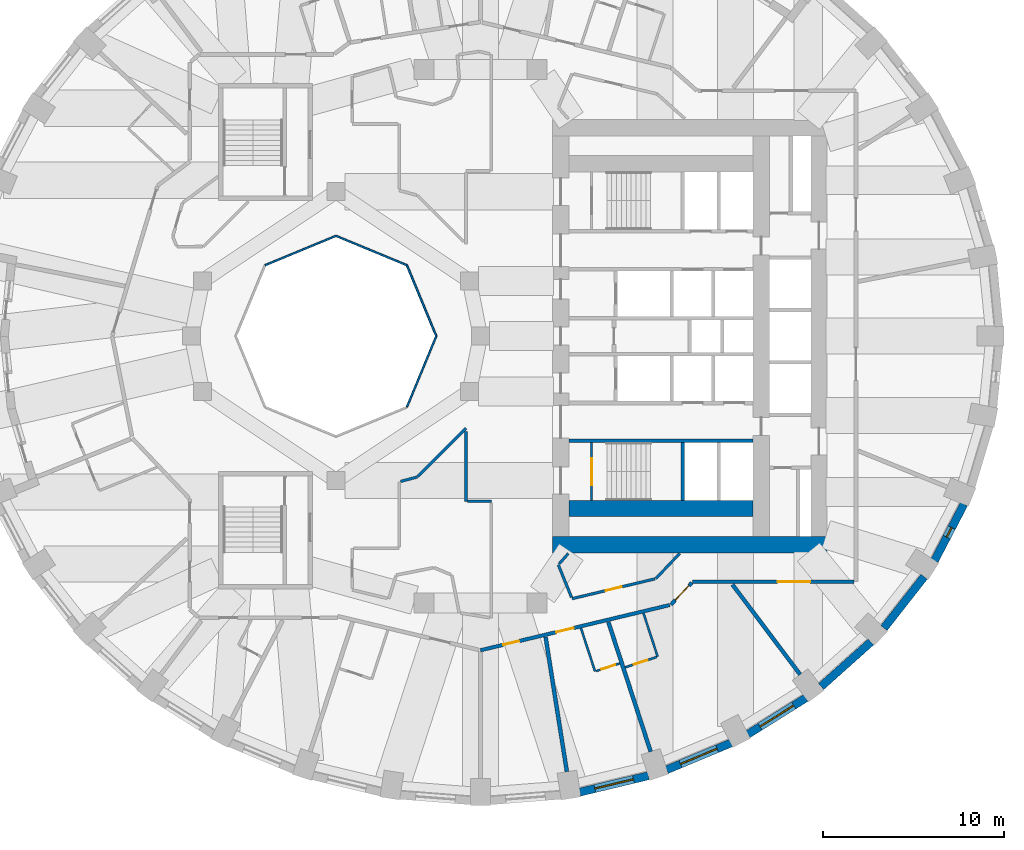
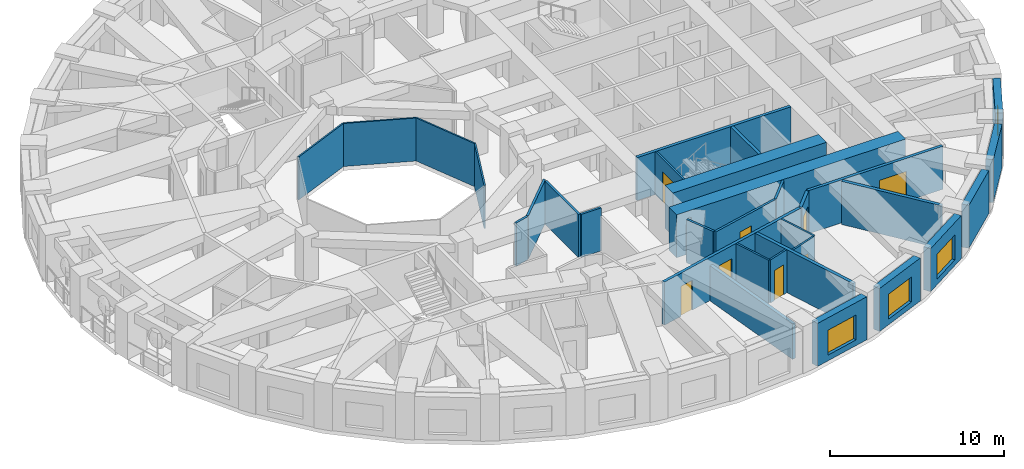
# One storey, part 5 of 14: 33 walls, 8 doors, 4 windows, 12 openings.
"""IFC4 building model written with IfcOpenShell, lengths in metres."""

from ifc_helpers import new_model, si_unit, direction, frame, frame_2d, origin, place, context, subcontext, project, spatial, rectangle, extrude, material, layer, layer_set, type_object, element, fill, save


model = new_model("IFC4")

# Units and contexts
model_context = context("Model", 3, precision=1e-05, world=origin(), true_north=direction((0.0, 1.0)))
body_context = subcontext(model_context, "Body", "Model", "MODEL_VIEW")
ifc_project = project(units=[si_unit("LENGTHUNIT", "METRE"), si_unit("AREAUNIT", "SQUARE_METRE"), si_unit("VOLUMEUNIT", "CUBIC_METRE"), si_unit("PLANEANGLEUNIT", "RADIAN"), si_unit("MASSUNIT", "GRAM", prefix="KILO")], contexts=[model_context])

# Site, building, storey
site_placement = place(None, origin())
site = spatial("IfcSite", under=ifc_project, at=site_placement, CompositionType="ELEMENT")
building_placement = place(site_placement, origin())
building = spatial("IfcBuilding", under=site, at=building_placement, Name="Taillehof Tower", CompositionType="ELEMENT")
storey_placement = place(building_placement, frame((0.0, 0.0, 25.0)))
storey = spatial("IfcBuildingStorey", under=building, at=storey_placement, Name="L05", CompositionType="ELEMENT", Elevation=25.0)

# Walls
ifc_material_1 = material(Name="Fire-resisting glass in steel frame", Category="steel")
ifc_layer_1 = layer(ifc_material_1, 0.10009765625)
ifc_layer_set_1 = layer_set([ifc_layer_1], Name="Atrium fire-resisting screen EI 60 100")
wall_type_1 = type_object("IfcWallType", Name="Atrium fire-resisting screen EI 60 100", PredefinedType="PARTITIONING", material=ifc_layer_set_1)
for number, where, z_axis, x_axis, name in (
    (1, (-2.44580078125, 0.0, 0.0), (0.0, 0.0, 1.0), (-0.382730523909, -0.923860025149, 0.0), "Atrium screen"),
    (2, (-11.92724609375, 3.92724609375, 0.0), (0.0, 0.0, 1.0), (0.923860025149, 0.382730523909, 0.0), "Atrium screen"),
    (3, (-8.0, 5.55419921875, 0.0), (0.0, 0.0, 1.0), (0.923860025149, -0.382730523909, 0.0), "Atrium screen"),
    (4, (-4.07275390625, 3.92724609375, 0.0), (0.0, 0.0, 1.0), (0.382730523909, -0.923860025149, 0.0), "Atrium screen"),
):
    element("IfcWall", number, at=place(storey_placement, frame(where, z_axis=z_axis, x_axis=x_axis)), inside=storey, type_object=wall_type_1, Name=name, PredefinedType="PARTITIONING", context=body_context, shape_type="SweptSolid", body=[
        extrude(rectangle(XDim=4.2509765625, YDim=0.10009765625, at=frame_2d((2.12548828125, 0.0))), origin(), (0.0, 0.0, 1.0), 3.02001953125),
    ])

# Wall, opening, window
ifc_material_2 = material(Name="Brick masonry", Category="masonry")
ifc_layer_2 = layer(ifc_material_2, 0.449951171875)
ifc_layer_set_2 = layer_set([ifc_layer_2], Name="Brick infill wall 450")
wall_type_2 = type_object("IfcWallType", Name="Brick infill wall 450", PredefinedType="SOLIDWALL", material=ifc_layer_set_2)
wall_1_placement = place(storey_placement, frame((5.50439453125, -25.260498046875, 0.0), z_axis=(0.0, 0.0, 1.0), x_axis=(0.972496561493, 0.232917233979, 0.0)))
wall_1 = element("IfcWall", 5, at=wall_1_placement, inside=storey, type_object=wall_type_2, Name="Brick wall L05 bay 29", PredefinedType="SOLIDWALL", context=body_context, shape_type="SweptSolid", body=[
    extrude(rectangle(XDim=3.910888671875, YDim=0.449951171875, at=frame_2d((1.95556640625, 0.0))), origin(), (0.0, 0.0, 1.0), 3.02001953125),
])
opening_1_placement = place(wall_1_placement, frame((0.855224609375, 0.0, 0.39990234375)))
opening_1 = element("IfcOpeningElement", 6, at=opening_1_placement, cuts=wall_1, Name="Opening W1", PredefinedType="OPENING", context=body_context, shape_type="SweptSolid", body=[
    extrude(rectangle(XDim=2.199951171875, YDim=1.75, at=frame_2d((1.10009765625, 0.875))), frame((0.0, 0.23486328125, 0.0), z_axis=(0.0, -1.0, 0.0), x_axis=(1.0, 0.0, 0.0)), (0.0, 0.0, 1.0), 0.469970703125),
])
ifc_material_3 = material(Name="Aluminium window frame with clear double glazing", Category="aluminium")
window_type_1 = type_object("IfcWindowType", Name="Deep-set window 2200x1750", PartitioningType="SINGLE_PANEL", PredefinedType="WINDOW", material=ifc_material_3)
window_1_placement = place(opening_1_placement, origin())
window_1 = element("IfcWindow", 7, at=window_1_placement, inside=storey, type_object=window_type_1, Name="W1", OverallHeight=1.75, OverallWidth=2.199951171875, PartitioningType="SINGLE_PANEL", PredefinedType="WINDOW", context=body_context, shape_type="SweptSolid", body=[
    extrude(rectangle(XDim=2.199951171875, YDim=1.75, at=frame_2d((1.10009765625, 0.875))), frame((0.0, 0.034912109375, 0.0), z_axis=(0.0, -1.0, 0.0), x_axis=(1.0, 0.0, 0.0)), (0.0, 0.0, 1.0), 0.06005859375),
])
fill(opening_1, window_1)

wall_2_placement = place(storey_placement, frame((10.3154296875, -24.02099609375, 0.0), z_axis=(0.0, 0.0, 1.0), x_axis=(0.923031964282, 0.384723267966, 0.0)))
wall_2 = element("IfcWall", 8, at=wall_2_placement, inside=storey, type_object=wall_type_2, Name="Brick wall L05 bay 30", PredefinedType="SOLIDWALL", context=body_context, shape_type="SweptSolid", body=[
    extrude(rectangle(XDim=3.8564453125, YDim=0.449951171875, at=frame_2d((1.92822265625, 0.0))), origin(), (0.0, 0.0, 1.0), 3.02001953125),
])
opening_2_placement = place(wall_2_placement, frame((0.828125, 0.0, 0.39990234375)))
opening_2 = element("IfcOpeningElement", 9, at=opening_2_placement, cuts=wall_2, Name="Opening W1", PredefinedType="OPENING", context=body_context, shape_type="SweptSolid", body=[
    extrude(rectangle(XDim=2.199951171875, YDim=1.75, at=frame_2d((1.10009765625, 0.875))), frame((0.0, 0.23486328125, 0.0), z_axis=(0.0, -1.0, 0.0), x_axis=(1.0, 0.0, 0.0)), (0.0, 0.0, 1.0), 0.469970703125),
])
window_2_placement = place(opening_2_placement, origin())
window_2 = element("IfcWindow", 10, at=window_2_placement, inside=storey, type_object=window_type_1, Name="W1", OverallHeight=1.75, OverallWidth=2.199951171875, PartitioningType="SINGLE_PANEL", PredefinedType="WINDOW", context=body_context, shape_type="SweptSolid", body=[
    extrude(rectangle(XDim=2.199951171875, YDim=1.75, at=frame_2d((1.10009765625, 0.875))), frame((0.0, 0.034912109375, 0.0), z_axis=(0.0, -1.0, 0.0), x_axis=(1.0, 0.0, 0.0)), (0.0, 0.0, 1.0), 0.06005859375),
])
fill(opening_2, window_2)

wall_3_placement = place(storey_placement, frame((14.81689453125, -22.050537109375, 0.0), z_axis=(0.0, 0.0, 1.0), x_axis=(0.847635480093, 0.530579016629, 0.0)))
wall_3 = element("IfcWall", 11, at=wall_3_placement, inside=storey, type_object=wall_type_2, Name="Brick wall L05 bay 31", PredefinedType="SOLIDWALL", context=body_context, shape_type="SweptSolid", body=[
    extrude(rectangle(XDim=3.782470703125, YDim=0.449951171875, at=frame_2d((1.89111328125, 0.0))), origin(), (0.0, 0.0, 1.0), 3.02001953125),
])
opening_3_placement = place(wall_3_placement, frame((0.791259765625, 0.0, 0.39990234375)))
opening_3 = element("IfcOpeningElement", 12, at=opening_3_placement, cuts=wall_3, Name="Opening W1", PredefinedType="OPENING", context=body_context, shape_type="SweptSolid", body=[
    extrude(rectangle(XDim=2.199951171875, YDim=1.75, at=frame_2d((1.10009765625, 0.875))), frame((0.0, 0.23486328125, 0.0), z_axis=(0.0, -1.0, 0.0), x_axis=(1.0, 0.0, 0.0)), (0.0, 0.0, 1.0), 0.469970703125),
])
window_3_placement = place(opening_3_placement, origin())
window_3 = element("IfcWindow", 13, at=window_3_placement, inside=storey, type_object=window_type_1, Name="W1", OverallHeight=1.75, OverallWidth=2.199951171875, PartitioningType="SINGLE_PANEL", PredefinedType="WINDOW", context=body_context, shape_type="SweptSolid", body=[
    extrude(rectangle(XDim=2.199951171875, YDim=1.75, at=frame_2d((1.10009765625, 0.875))), frame((0.0, 0.034912109375, 0.0), z_axis=(0.0, -1.0, 0.0), x_axis=(1.0, 0.0, 0.0)), (0.0, 0.0, 1.0), 0.06005859375),
])
fill(opening_3, window_3)

# Walls
wall_4_placement = place(storey_placement, frame((18.87060546875, -19.406982421875, 0.0), z_axis=(0.0, 0.0, 1.0), x_axis=(0.745526233716, 0.66647628228, 0.0)))
element("IfcWall", 14, at=wall_4_placement, inside=storey, type_object=wall_type_2, Name="Brick wall L05 bay 32", PredefinedType="SOLIDWALL", context=body_context, shape_type="SweptSolid", body=[
    extrude(rectangle(XDim=3.69677734375, YDim=0.449951171875, at=frame_2d((1.848388671875, 0.0))), origin(), (0.0, 0.0, 1.0), 3.02001953125),
])
wall_5_placement = place(storey_placement, frame((22.3515625, -16.169677734375, 0.0), z_axis=(0.0, 0.0, 1.0), x_axis=(0.616661975264, 0.787228053529, 0.0)))
element("IfcWall", 15, at=wall_5_placement, inside=storey, type_object=wall_type_2, Name="Brick wall L05 bay 33", PredefinedType="SOLIDWALL", context=body_context, shape_type="SweptSolid", body=[
    extrude(rectangle(XDim=3.60986328125, YDim=0.449951171875, at=frame_2d((1.804931640625, 0.0))), origin(), (0.0, 0.0, 1.0), 3.02001953125),
])

# Wall, opening, window
wall_6_placement = place(storey_placement, frame((25.152099609375, -12.436767578125, 0.0), z_axis=(0.0, 0.0, 1.0), x_axis=(0.462492775226, 0.886623050041, 0.0)))
wall_6 = element("IfcWall", 16, at=wall_6_placement, inside=storey, type_object=wall_type_2, Name="Brick wall L05 bay 34", PredefinedType="SOLIDWALL", context=body_context, shape_type="SweptSolid", body=[
    extrude(rectangle(XDim=3.531982421875, YDim=0.449951171875, at=frame_2d((1.76611328125, 0.0))), origin(), (0.0, 0.0, 1.0), 3.02001953125),
])
opening_4_placement = place(wall_6_placement, frame((1.466064453125, 0.0, 0.39990234375)))
opening_4 = element("IfcOpeningElement", 17, at=opening_4_placement, cuts=wall_6, Name="Opening W6", PredefinedType="OPENING", context=body_context, shape_type="SweptSolid", body=[
    extrude(rectangle(XDim=0.60009765625, YDim=1.75, at=frame_2d((0.300048828125, 0.875))), frame((0.0, 0.23486328125, 0.0), z_axis=(0.0, -1.0, 0.0), x_axis=(1.0, 0.0, 0.0)), (0.0, 0.0, 1.0), 0.469970703125),
])
ifc_material_4 = material(Name="Aluminium window frame with clear double glazing", Category="aluminium")
window_type_2 = type_object("IfcWindowType", Name="Slot window 600x1750", PartitioningType="SINGLE_PANEL", PredefinedType="WINDOW", material=ifc_material_4)
window_4_placement = place(opening_4_placement, origin())
window_4 = element("IfcWindow", 18, at=window_4_placement, inside=storey, type_object=window_type_2, Name="W6", OverallHeight=1.75, OverallWidth=0.60009765625, PartitioningType="SINGLE_PANEL", PredefinedType="WINDOW", context=body_context, shape_type="SweptSolid", body=[
    extrude(rectangle(XDim=0.60009765625, YDim=1.75, at=frame_2d((0.300048828125, 0.875))), frame((0.0, 0.034912109375, 0.0), z_axis=(0.0, -1.0, 0.0), x_axis=(1.0, 0.0, 0.0)), (0.0, 0.0, 1.0), 0.06005859375),
])
fill(opening_4, window_4)

# Wall, opening, door
ifc_material_5 = material(Name="Gypsum board on steel studs, two layers each side", Category="steel")
ifc_layer_3 = layer(ifc_material_5, 0.199951171875)
ifc_layer_set_3 = layer_set([ifc_layer_3], Name="Compartment wall corridor 200")
wall_type_3 = type_object("IfcWallType", Name="Compartment wall corridor 200", PredefinedType="PARTITIONING", material=ifc_layer_set_3)
wall_7_placement = place(storey_placement, frame((20.699951171875, -13.60009765625, 0.0), z_axis=(0.0, 0.0, 1.0), x_axis=(-1.0, 0.0, 0.0)))
wall_7 = element("IfcWall", 19, at=wall_7_placement, inside=storey, type_object=wall_type_3, Name="Compartment wall", PredefinedType="PARTITIONING", context=body_context, shape_type="SweptSolid", body=[
    extrude(rectangle(XDim=8.94140625, YDim=0.199951171875, at=frame_2d((4.470703125, 0.0))), origin(), (0.0, 0.0, 1.0), 3.02001953125),
])
opening_5_placement = place(wall_7_placement, frame((2.436279296875, 0.0, 0.0)))
opening_5 = element("IfcOpeningElement", 20, at=opening_5_placement, cuts=wall_7, Name="Opening D0569", PredefinedType="OPENING", context=body_context, shape_type="SweptSolid", body=[
    extrude(rectangle(XDim=1.800048828125, YDim=2.10009765625, at=frame_2d((0.89990234375, 1.050048828125))), frame((0.0, 0.10986328125, 0.0), z_axis=(0.0, -1.0, 0.0), x_axis=(1.0, 0.0, 0.0)), (0.0, 0.0, 1.0), 0.219970703125),
])
ifc_material_6 = material(Name="Timber door leaf in steel frame", Category="steel")
door_type_1 = type_object("IfcDoorType", Name="Lounge and meeting room double door EI 30 1800 x 2100", OperationType="SINGLE_SWING_LEFT", PredefinedType="DOOR", material=ifc_material_6)
door_1_placement = place(opening_5_placement, origin())
door_1 = element("IfcDoor", 21, at=door_1_placement, inside=storey, type_object=door_type_1, Name="D0569", OperationType="DOUBLE_DOOR_SINGLE_SWING", OverallHeight=2.10009765625, OverallWidth=1.800048828125, PredefinedType="DOOR", context=body_context, shape_type="SweptSolid", body=[
    extrude(rectangle(XDim=1.800048828125, YDim=2.10009765625, at=frame_2d((0.89990234375, 1.050048828125))), frame((0.0, 0.02490234375, 0.0), z_axis=(0.0, -1.0, 0.0), x_axis=(1.0, 0.0, 0.0)), (0.0, 0.0, 1.0), 0.050048828125),
])
fill(opening_5, door_1)

wall_8_placement = place(storey_placement, frame((11.703857421875, -13.65771484375, 0.0), z_axis=(0.0, 0.0, 1.0), x_axis=(-0.687768795377, -0.725929806597, 0.0)))
wall_8 = element("IfcWall", 22, at=wall_8_placement, inside=storey, type_object=wall_type_3, Name="Compartment wall", PredefinedType="PARTITIONING", context=body_context, shape_type="SweptSolid", body=[
    extrude(rectangle(XDim=1.6826171875, YDim=0.199951171875, at=frame_2d((0.84130859375, 0.0))), origin(), (0.0, 0.0, 1.0), 3.02001953125),
])
opening_6_placement = place(wall_8_placement, frame((0.219970703125, 0.0, 0.0)))
opening_6 = element("IfcOpeningElement", 23, at=opening_6_placement, cuts=wall_8, Name="Opening D0567", PredefinedType="OPENING", context=body_context, shape_type="SweptSolid", body=[
    extrude(rectangle(XDim=1.10009765625, YDim=2.10009765625, at=frame_2d((0.550048828125, 1.050048828125))), frame((0.0, 0.10986328125, 0.0), z_axis=(0.0, -1.0, 0.0), x_axis=(1.0, 0.0, 0.0)), (0.0, 0.0, 1.0), 0.219970703125),
])
ifc_material_7 = material(Name="Timber door leaf in steel frame", Category="steel")
door_type_2 = type_object("IfcDoorType", Name="Suite entrance door EI 30 1100 x 2100", OperationType="SINGLE_SWING_LEFT", PredefinedType="DOOR", material=ifc_material_7)
door_2_placement = place(opening_6_placement, origin())
door_2 = element("IfcDoor", 24, at=door_2_placement, inside=storey, type_object=door_type_2, Name="D0567", OperationType="SINGLE_SWING_LEFT", OverallHeight=2.10009765625, OverallWidth=1.10009765625, PredefinedType="DOOR", context=body_context, shape_type="SweptSolid", body=[
    extrude(rectangle(XDim=1.10009765625, YDim=2.10009765625, at=frame_2d((0.550048828125, 1.050048828125))), frame((0.0, 0.02490234375, 0.0), z_axis=(0.0, -1.0, 0.0), x_axis=(1.0, 0.0, 0.0)), (0.0, 0.0, 1.0), 0.050048828125),
])
fill(opening_6, door_2)

# Wall, openings, doors
wall_9_placement = place(storey_placement, frame((10.488037109375, -14.89306640625, 0.0), z_axis=(0.0, 0.0, 1.0), x_axis=(-0.972603489924, -0.23247032367, 0.0)))
wall_9 = element("IfcWall", 25, at=wall_9_placement, inside=storey, type_object=wall_type_3, Name="Compartment wall", PredefinedType="PARTITIONING", context=body_context, shape_type="SweptSolid", body=[
    extrude(rectangle(XDim=10.783447265625, YDim=0.199951171875, at=frame_2d((5.3916015625, 0.0))), origin(), (0.0, 0.0, 1.0), 3.02001953125),
])
opening_7_placement = place(wall_9_placement, frame((8.59033203125, 0.0, 0.0)))
opening_7 = element("IfcOpeningElement", 26, at=opening_7_placement, cuts=wall_9, Name="Opening D0564", PredefinedType="OPENING", context=body_context, shape_type="SweptSolid", body=[
    extrude(rectangle(XDim=0.89990234375, YDim=2.10009765625, at=frame_2d((0.449951171875, 1.050048828125))), frame((0.0, 0.10986328125, 0.0), z_axis=(0.0, -1.0, 0.0), x_axis=(1.0, 0.0, 0.0)), (0.0, 0.0, 1.0), 0.219970703125),
])
opening_8_placement = place(wall_9_placement, frame((5.46240234375, 0.0, 0.0)))
opening_8 = element("IfcOpeningElement", 27, at=opening_8_placement, cuts=wall_9, Name="Opening D0565", PredefinedType="OPENING", context=body_context, shape_type="SweptSolid", body=[
    extrude(rectangle(XDim=1.0, YDim=2.10009765625, at=frame_2d((0.5, 1.050048828125))), frame((0.0, 0.10986328125, 0.0), z_axis=(0.0, -1.0, 0.0), x_axis=(1.0, 0.0, 0.0)), (0.0, 0.0, 1.0), 0.219970703125),
])
ifc_material_8 = material(Name="Timber door leaf in steel frame", Category="steel")
door_type_3 = type_object("IfcDoorType", Name="Guest room door EI 30 1000 x 2100", OperationType="SINGLE_SWING_LEFT", PredefinedType="DOOR", material=ifc_material_8)
door_3_placement = place(opening_8_placement, origin())
door_3 = element("IfcDoor", 28, at=door_3_placement, inside=storey, type_object=door_type_3, Name="D0565", OperationType="SINGLE_SWING_LEFT", OverallHeight=2.10009765625, OverallWidth=1.0, PredefinedType="DOOR", context=body_context, shape_type="SweptSolid", body=[
    extrude(rectangle(XDim=1.0, YDim=2.10009765625, at=frame_2d((0.5, 1.050048828125))), frame((0.0, 0.02490234375, 0.0), z_axis=(0.0, -1.0, 0.0), x_axis=(1.0, 0.0, 0.0)), (0.0, 0.0, 1.0), 0.050048828125),
])
fill(opening_8, door_3)
ifc_material_9 = material(Name="Timber door leaf in steel frame", Category="steel")
door_type_4 = type_object("IfcDoorType", Name="Service room door EI 30 900 x 2100", OperationType="SINGLE_SWING_LEFT", PredefinedType="DOOR", material=ifc_material_9)
door_4_placement = place(opening_7_placement, origin())
door_4 = element("IfcDoor", 29, at=door_4_placement, inside=storey, type_object=door_type_4, Name="D0564", OperationType="SINGLE_SWING_RIGHT", OverallHeight=2.10009765625, OverallWidth=0.89990234375, PredefinedType="DOOR", context=body_context, shape_type="SweptSolid", body=[
    extrude(rectangle(XDim=0.89990234375, YDim=2.10009765625, at=frame_2d((0.449951171875, 1.050048828125))), frame((0.0, 0.02490234375, 0.0), z_axis=(0.0, -1.0, 0.0), x_axis=(1.0, 0.0, 0.0)), (0.0, 0.0, 1.0), 0.050048828125),
])
fill(opening_7, door_4)

# Walls
ifc_material_10 = material(Name="Gypsum board on double steel studs with mineral wool", Category="steel")
ifc_layer_4 = layer(ifc_material_10, 0.219970703125)
ifc_layer_set_4 = layer_set([ifc_layer_4], Name="Compartment wall guest room 220")
wall_type_4 = type_object("IfcWallType", Name="Compartment wall guest room 220", PredefinedType="PARTITIONING", material=ifc_layer_set_4)
wall_10_placement = place(storey_placement, frame((4.788330078125, -24.12548828125, 0.0), z_axis=(0.0, 0.0, 1.0), x_axis=(-0.156131781396, 0.987736233434, 0.0)))
element("IfcWall", 30, at=wall_10_placement, inside=storey, type_object=wall_type_4, Name="Compartment wall", PredefinedType="PARTITIONING", context=body_context, shape_type="SweptSolid", body=[
    extrude(rectangle(XDim=7.557373046875, YDim=0.219970703125, at=frame_2d((3.77880859375, 0.0))), origin(), (0.0, 0.0, 1.0), 2.469970703125),
])
wall_11_placement = place(storey_placement, frame((9.429443359375, -23.01416015625, 0.0), z_axis=(0.0, 0.0, 1.0), x_axis=(-0.310261176215, 0.950651356983, 0.0)))
element("IfcWall", 31, at=wall_11_placement, inside=storey, type_object=wall_type_4, Name="Compartment wall", PredefinedType="PARTITIONING", context=body_context, shape_type="SweptSolid", body=[
    extrude(rectangle(XDim=7.557373046875, YDim=0.219970703125, at=frame_2d((3.77880859375, 0.0))), origin(), (0.0, 0.0, 1.0), 3.02001953125),
])
wall_12_placement = place(storey_placement, frame((17.707763671875, -18.7431640625, 0.0), z_axis=(0.0, 0.0, 1.0), x_axis=(-0.601177883261, 0.799115231164, 0.0)))
element("IfcWall", 32, at=wall_12_placement, inside=storey, type_object=wall_type_4, Name="Compartment wall", PredefinedType="PARTITIONING", context=body_context, shape_type="SweptSolid", body=[
    extrude(rectangle(XDim=6.231201171875, YDim=0.219970703125, at=frame_2d((3.11572265625, 0.0))), origin(), (0.0, 0.0, 1.0), 3.02001953125),
])
ifc_material_11 = material(Name="Gypsum board on steel studs, two layers each side", Category="steel")
ifc_layer_5 = layer(ifc_material_11, 0.14990234375)
ifc_layer_set_5 = layer_set([ifc_layer_5], Name="Compartment wall service room 150")
wall_type_5 = type_object("IfcWallType", Name="Compartment wall service room 150", PredefinedType="PARTITIONING", material=ifc_layer_set_5)
wall_13_placement = place(storey_placement, frame((-4.4228515625, -8.048583984375, 0.0), z_axis=(0.0, 0.0, 1.0), x_axis=(0.96590031435, 0.25891423819, 0.0)))
element("IfcWall", 33, at=wall_13_placement, inside=storey, type_object=wall_type_5, Name="Compartment wall", PredefinedType="PARTITIONING", context=body_context, shape_type="SweptSolid", body=[
    extrude(rectangle(XDim=0.958984375, YDim=0.14990234375, at=frame_2d((0.4794921875, 0.0))), origin(), (0.0, 0.0, 1.0), 3.02001953125),
])
wall_14_placement = place(storey_placement, frame((-3.46826171875, -7.77197265625, 0.0), z_axis=(0.0, 0.0, 1.0), x_axis=(0.707106781187, 0.707106781187, 0.0)))
element("IfcWall", 34, at=wall_14_placement, inside=storey, type_object=wall_type_5, Name="Compartment wall", PredefinedType="PARTITIONING", context=body_context, shape_type="SweptSolid", body=[
    extrude(rectangle(XDim=3.7734375, YDim=0.14990234375, at=frame_2d((1.88671875, 0.0))), origin(), (0.0, 0.0, 1.0), 3.02001953125),
])
wall_15_placement = place(storey_placement, frame((-0.800048828125, -5.283935546875, 0.0), z_axis=(0.0, 0.0, 1.0), x_axis=(0.0, -1.0, 0.0)))
element("IfcWall", 35, at=wall_15_placement, inside=storey, type_object=wall_type_5, Name="Compartment wall", PredefinedType="PARTITIONING", context=body_context, shape_type="SweptSolid", body=[
    extrude(rectangle(XDim=3.865966796875, YDim=0.14990234375, at=frame_2d((1.93310546875, 0.0))), origin(), (0.0, 0.0, 1.0), 3.02001953125),
])
wall_16_placement = place(storey_placement, frame((-0.719970703125, -9.14990234375, 0.0), z_axis=(0.0, 0.0, 1.0), x_axis=(1.0, 0.0, 0.0)))
element("IfcWall", 36, at=wall_16_placement, inside=storey, type_object=wall_type_5, Name="Compartment wall", PredefinedType="PARTITIONING", context=body_context, shape_type="SweptSolid", body=[
    extrude(rectangle(XDim=1.320068359375, YDim=0.14990234375, at=frame_2d((0.66015625, 0.0))), origin(), (0.0, 0.0, 1.0), 3.02001953125),
])
wall_17_placement = place(storey_placement, frame((11.02978515625, -12.042724609375, 0.0), z_axis=(0.0, 0.0, 1.0), x_axis=(-0.687734044261, -0.725962729322, 0.0)))
element("IfcWall", 37, at=wall_17_placement, inside=storey, type_object=wall_type_5, Name="Compartment wall", PredefinedType="PARTITIONING", context=body_context, shape_type="SweptSolid", body=[
    extrude(rectangle(XDim=1.916015625, YDim=0.14990234375, at=frame_2d((0.9580078125, 0.0))), origin(), (0.0, 0.0, 1.0), 3.02001953125),
])

# Wall, opening, door
wall_18_placement = place(storey_placement, frame((9.673095703125, -13.44287109375, 0.0), z_axis=(0.0, 0.0, 1.0), x_axis=(-0.972603013932, -0.232472315103, 0.0)))
wall_18 = element("IfcWall", 38, at=wall_18_placement, inside=storey, type_object=wall_type_5, Name="Compartment wall", PredefinedType="PARTITIONING", context=body_context, shape_type="SweptSolid", body=[
    extrude(rectangle(XDim=4.726806640625, YDim=0.14990234375, at=frame_2d((2.36328125, 0.0))), origin(), (0.0, 0.0, 1.0), 3.02001953125),
])
opening_9_placement = place(wall_18_placement, frame((1.91357421875, 0.0, 0.0)))
opening_9 = element("IfcOpeningElement", 39, at=opening_9_placement, cuts=wall_18, Name="Opening D0577", PredefinedType="OPENING", context=body_context, shape_type="SweptSolid", body=[
    extrude(rectangle(XDim=0.89990234375, YDim=2.10009765625, at=frame_2d((0.449951171875, 1.050048828125))), frame((0.0, 0.0849609375, 0.0), z_axis=(0.0, -1.0, 0.0), x_axis=(1.0, 0.0, 0.0)), (0.0, 0.0, 1.0), 0.169921875),
])
door_5_placement = place(opening_9_placement, origin())
door_5 = element("IfcDoor", 40, at=door_5_placement, inside=storey, type_object=door_type_4, Name="D0577", OperationType="SINGLE_SWING_LEFT", OverallHeight=2.10009765625, OverallWidth=0.89990234375, PredefinedType="DOOR", context=body_context, shape_type="SweptSolid", body=[
    extrude(rectangle(XDim=0.89990234375, YDim=2.10009765625, at=frame_2d((0.449951171875, 1.050048828125))), frame((0.0, 0.02490234375, 0.0), z_axis=(0.0, -1.0, 0.0), x_axis=(1.0, 0.0, 0.0)), (0.0, 0.0, 1.0), 0.050048828125),
])
fill(opening_9, door_5)

# Walls
wall_19_placement = place(storey_placement, frame((5.04541015625, -14.467529296875, 0.0), z_axis=(0.0, 0.0, 1.0), x_axis=(-0.376889538578, 0.926258212223, 0.0)))
element("IfcWall", 41, at=wall_19_placement, inside=storey, type_object=wall_type_5, Name="Compartment wall", PredefinedType="PARTITIONING", context=body_context, shape_type="SweptSolid", body=[
    extrude(rectangle(XDim=1.942138671875, YDim=0.14990234375, at=frame_2d((0.97119140625, 0.0))), origin(), (0.0, 0.0, 1.0), 3.02001953125),
])
wall_20_placement = place(storey_placement, frame((4.35302734375, -12.623291015625, 0.0), z_axis=(0.0, 0.0, 1.0), x_axis=(0.660265480509, 0.751032286422, 0.0)))
element("IfcWall", 42, at=wall_20_placement, inside=storey, type_object=wall_type_5, Name="Compartment wall", PredefinedType="PARTITIONING", context=body_context, shape_type="SweptSolid", body=[
    extrude(rectangle(XDim=0.774658203125, YDim=0.14990234375, at=frame_2d((0.38720703125, 0.0))), origin(), (0.0, 0.0, 1.0), 2.570068359375),
])
ifc_material_12 = material(Name="Concrete C80/95", Category="concrete")
ifc_layer_6 = layer(ifc_material_12, 0.89990234375)
ifc_layer_set_6 = layer_set([ifc_layer_6], Name="Core wall C80/95 900")
wall_type_6 = type_object("IfcWallType", Name="Core wall C80/95 900", PredefinedType="SHEAR", material=ifc_layer_set_6)
wall_21_placement = place(storey_placement, frame((4.0, -11.550048828125, 0.0), z_axis=(0.0, 0.0, 1.0), x_axis=(1.0, 0.0, 0.0)))
element("IfcWall", 43, at=wall_21_placement, inside=storey, type_object=wall_type_6, Name="Core wall CW04", PredefinedType="SHEAR", context=body_context, shape_type="SweptSolid", body=[
    extrude(rectangle(XDim=15.199951171875, YDim=0.89990234375, at=frame_2d((7.60009765625, 0.0))), origin(), (0.0, 0.0, 1.0), 3.02001953125),
])
wall_22_placement = place(storey_placement, frame((4.89990234375, -9.550048828125, 0.0), z_axis=(0.0, 0.0, 1.0), x_axis=(1.0, 0.0, 0.0)))
element("IfcWall", 44, at=wall_22_placement, inside=storey, type_object=wall_type_6, Name="Core wall CW07", PredefinedType="SHEAR", context=body_context, shape_type="SweptSolid", body=[
    extrude(rectangle(XDim=10.2001953125, YDim=0.89990234375, at=frame_2d((5.10009765625, 0.0))), origin(), (0.0, 0.0, 1.0), 3.02001953125),
])
ifc_material_13 = material(Name="Gypsum board on steel studs, moisture resistant", Category="steel")
ifc_layer_7 = layer(ifc_material_13, 0.1201171875)
ifc_layer_set_7 = layer_set([ifc_layer_7], Name="En-suite wall 120")
wall_type_7 = type_object("IfcWallType", Name="En-suite wall 120", PredefinedType="PARTITIONING", material=ifc_layer_set_7)
wall_23_placement = place(storey_placement, frame((5.56640625, -16.17236328125, 0.0), z_axis=(0.0, 0.0, 1.0), x_axis=(0.310159281599, -0.950684605975, 0.0)))
element("IfcWall", 45, at=wall_23_placement, inside=storey, type_object=wall_type_7, Name="En-suite wall", PredefinedType="PARTITIONING", context=body_context, shape_type="SweptSolid", body=[
    extrude(rectangle(XDim=2.525146484375, YDim=0.1201171875, at=frame_2d((1.2626953125, 0.0))), origin(), (0.0, 0.0, 1.0), 3.02001953125),
])
wall_24_placement = place(storey_placement, frame((9.0302734375, -15.344482421875, 0.0), z_axis=(0.0, 0.0, 1.0), x_axis=(0.310275804943, -0.950646582525, 0.0)))
element("IfcWall", 46, at=wall_24_placement, inside=storey, type_object=wall_type_7, Name="En-suite wall", PredefinedType="PARTITIONING", context=body_context, shape_type="SweptSolid", body=[
    extrude(rectangle(XDim=2.53759765625, YDim=0.1201171875, at=frame_2d((1.268798828125, 0.0))), origin(), (0.0, 0.0, 1.0), 3.02001953125),
])

# Wall, opening, door
wall_25_placement = place(storey_placement, frame((6.40673828125, -18.554443359375, 0.0), z_axis=(0.0, 0.0, 1.0), x_axis=(0.950628893115, 0.310329997864, 0.0)))
wall_25 = element("IfcWall", 47, at=wall_25_placement, inside=storey, type_object=wall_type_7, Name="En-suite wall", PredefinedType="PARTITIONING", context=body_context, shape_type="SweptSolid", body=[
    extrude(rectangle(XDim=1.3798828125, YDim=0.1201171875, at=frame_2d((0.68994140625, 0.0))), origin(), (0.0, 0.0, 1.0), 3.02001953125),
])
opening_10_placement = place(wall_25_placement, frame((0.31494140625, 0.0, 0.0)))
opening_10 = element("IfcOpeningElement", 48, at=opening_10_placement, cuts=wall_25, Name="Opening D0566", PredefinedType="OPENING", context=body_context, shape_type="SweptSolid", body=[
    extrude(rectangle(XDim=0.800048828125, YDim=2.10009765625, at=frame_2d((0.39990234375, 1.050048828125))), frame((0.0, 0.070068359375, 0.0), z_axis=(0.0, -1.0, 0.0), x_axis=(1.0, 0.0, 0.0)), (0.0, 0.0, 1.0), 0.14013671875),
])
ifc_material_14 = material(Name="Timber door leaf in steel frame", Category="steel")
door_type_5 = type_object("IfcDoorType", Name="En-suite door 800 x 2100", OperationType="SINGLE_SWING_LEFT", PredefinedType="DOOR", material=ifc_material_14)
door_6_placement = place(opening_10_placement, origin())
door_6 = element("IfcDoor", 49, at=door_6_placement, inside=storey, type_object=door_type_5, Name="D0566", OperationType="SINGLE_SWING_LEFT", OverallHeight=2.10009765625, OverallWidth=0.800048828125, PredefinedType="DOOR", context=body_context, shape_type="SweptSolid", body=[
    extrude(rectangle(XDim=0.800048828125, YDim=2.10009765625, at=frame_2d((0.39990234375, 1.050048828125))), frame((0.0, 0.02490234375, 0.0), z_axis=(0.0, -1.0, 0.0), x_axis=(1.0, 0.0, 0.0)), (0.0, 0.0, 1.0), 0.050048828125),
])
fill(opening_10, door_6)

wall_26_placement = place(storey_placement, frame((9.760498046875, -17.775146484375, 0.0), z_axis=(0.0, 0.0, 1.0), x_axis=(-0.950599833202, -0.310419002506, 0.0)))
wall_26 = element("IfcWall", 50, at=wall_26_placement, inside=storey, type_object=wall_type_7, Name="En-suite wall", PredefinedType="PARTITIONING", context=body_context, shape_type="SweptSolid", body=[
    extrude(rectangle(XDim=1.830078125, YDim=0.1201171875, at=frame_2d((0.9150390625, 0.0))), origin(), (0.0, 0.0, 1.0), 3.02001953125),
])
opening_11_placement = place(wall_26_placement, frame((0.5400390625, 0.0, 0.0)))
opening_11 = element("IfcOpeningElement", 51, at=opening_11_placement, cuts=wall_26, Name="Opening D0568", PredefinedType="OPENING", context=body_context, shape_type="SweptSolid", body=[
    extrude(rectangle(XDim=0.800048828125, YDim=2.10009765625, at=frame_2d((0.39990234375, 1.050048828125))), frame((0.0, 0.070068359375, 0.0), z_axis=(0.0, -1.0, 0.0), x_axis=(1.0, 0.0, 0.0)), (0.0, 0.0, 1.0), 0.14013671875),
])
door_7_placement = place(opening_11_placement, origin())
door_7 = element("IfcDoor", 52, at=door_7_placement, inside=storey, type_object=door_type_5, Name="D0568", OperationType="SINGLE_SWING_LEFT", OverallHeight=2.10009765625, OverallWidth=0.800048828125, PredefinedType="DOOR", context=body_context, shape_type="SweptSolid", body=[
    extrude(rectangle(XDim=0.800048828125, YDim=2.10009765625, at=frame_2d((0.39990234375, 1.050048828125))), frame((0.0, 0.02490234375, 0.0), z_axis=(0.0, -1.0, 0.0), x_axis=(1.0, 0.0, 0.0)), (0.0, 0.0, 1.0), 0.050048828125),
])
fill(opening_11, door_7)

# Walls
ifc_material_15 = material(Name="Concrete C50/60", Category="concrete")
ifc_layer_8 = layer(ifc_material_15, 0.199951171875)
ifc_layer_set_8 = layer_set([ifc_layer_8], Name="Shaft wall C50/60 200")
wall_type_8 = type_object("IfcWallType", Name="Shaft wall C50/60 200", PredefinedType="SHEAR", material=ifc_layer_set_8)
wall_27_placement = place(storey_placement, frame((4.89990234375, -5.800048828125, 0.0), z_axis=(0.0, 0.0, 1.0), x_axis=(1.0, 0.0, 0.0)))
element("IfcWall", 53, at=wall_27_placement, inside=storey, type_object=wall_type_8, Name="Shaft wall SW", PredefinedType="SHEAR", context=body_context, shape_type="SweptSolid", body=[
    extrude(rectangle(XDim=10.2001953125, YDim=0.199951171875, at=frame_2d((5.10009765625, 0.0))), origin(), (0.0, 0.0, 1.0), 3.02001953125),
])
wall_28_placement = place(storey_placement, frame((11.199951171875, -9.10009765625, 0.0), z_axis=(0.0, 0.0, 1.0), x_axis=(0.0, 1.0, 0.0)))
element("IfcWall", 54, at=wall_28_placement, inside=storey, type_object=wall_type_8, Name="Shaft wall SW", PredefinedType="SHEAR", context=body_context, shape_type="SweptSolid", body=[
    extrude(rectangle(XDim=3.2001953125, YDim=0.199951171875, at=frame_2d((1.60009765625, 0.0))), origin(), (0.0, 0.0, 1.0), 3.02001953125),
])

# Wall, opening, door
ifc_material_16 = material(Name="Concrete C50/60", Category="concrete")
ifc_layer_9 = layer(ifc_material_16, 0.1201171875)
ifc_layer_set_9 = layer_set([ifc_layer_9], Name="Stair lobby wall C50/60 120")
wall_type_9 = type_object("IfcWallType", Name="Stair lobby wall C50/60 120", PredefinedType="SHEAR", material=ifc_layer_set_9)
wall_29_placement = place(storey_placement, frame((6.159912109375, -9.10009765625, 0.0), z_axis=(0.0, 0.0, 1.0), x_axis=(0.0, 1.0, 0.0)))
wall_29 = element("IfcWall", 55, at=wall_29_placement, inside=storey, type_object=wall_type_9, Name="Compartment wall SW", PredefinedType="SHEAR", context=body_context, shape_type="SweptSolid", body=[
    extrude(rectangle(XDim=3.2001953125, YDim=0.1201171875, at=frame_2d((1.60009765625, 0.0))), origin(), (0.0, 0.0, 1.0), 3.02001953125),
])
opening_12_placement = place(wall_29_placement, frame((0.85009765625, 0.0, 0.0)))
opening_12 = element("IfcOpeningElement", 56, at=opening_12_placement, cuts=wall_29, Name="Opening D0511", PredefinedType="OPENING", context=body_context, shape_type="SweptSolid", body=[
    extrude(rectangle(XDim=1.5, YDim=2.10009765625, at=frame_2d((0.75, 1.050048828125))), frame((0.0, 0.070068359375, 0.0), z_axis=(0.0, -1.0, 0.0), x_axis=(1.0, 0.0, 0.0)), (0.0, 0.0, 1.0), 0.14013671875),
])
ifc_material_17 = material(Name="Steel-faced fire door", Category="steel")
door_type_6 = type_object("IfcDoorType", Name="Stair door 1500x2100", OperationType="DOUBLE_DOOR_SINGLE_SWING", PredefinedType="DOOR", material=ifc_material_17)
door_8_placement = place(opening_12_placement, origin())
door_8 = element("IfcDoor", 57, at=door_8_placement, inside=storey, type_object=door_type_6, Name="Stair lobby door S2", OperationType="DOUBLE_DOOR_SINGLE_SWING", OverallHeight=2.10009765625, OverallWidth=1.5, PredefinedType="DOOR", context=body_context, shape_type="SweptSolid", body=[
    extrude(rectangle(XDim=1.5, YDim=2.10009765625, at=frame_2d((0.75, 1.050048828125))), frame((0.0, 0.02490234375, 0.0), z_axis=(0.0, -1.0, 0.0), x_axis=(1.0, 0.0, 0.0)), (0.0, 0.0, 1.0), 0.050048828125),
])
fill(opening_12, door_8)

save(model, "model.ifc")
